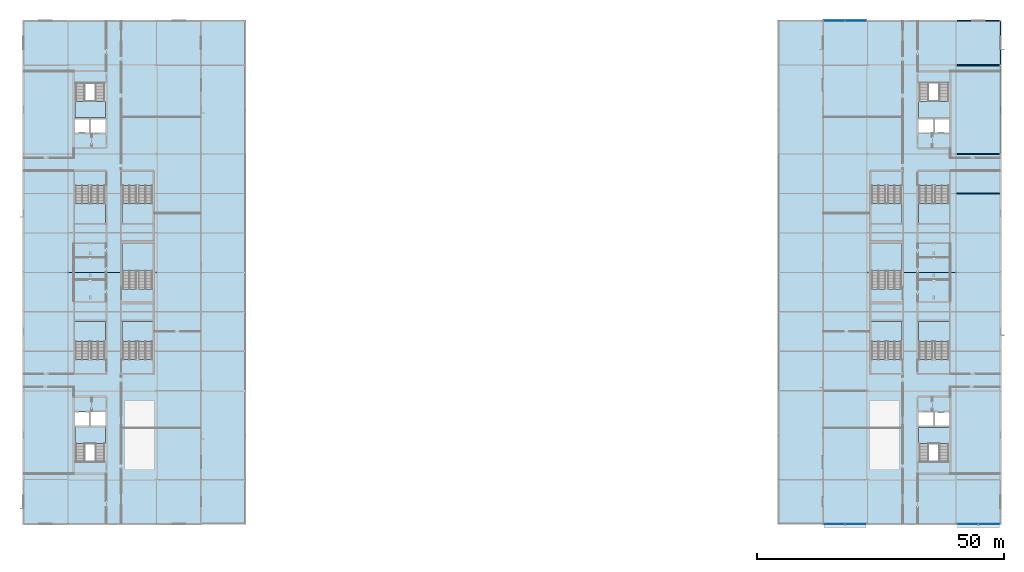
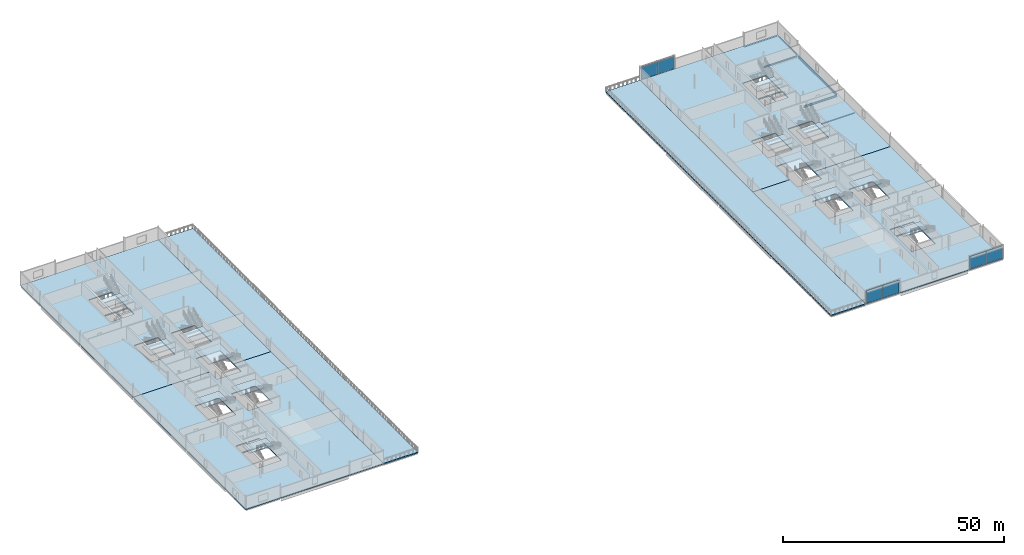
# One storey, part 26 of 55: 20 slabs, 6 beams, 6 plates, 17 elements without a shape of their own.
"""IFC4 building model written with IfcOpenShell, lengths in metres."""

from ifc_helpers import new_model, si_unit, direction, frame, origin, origin_2d, place, context, subcontext, project, spatial, polyline, rectangle, hollow_rectangle, i_section, outline, extrude, material, layer, layer_set, material_profile, profile_set, type_object, element, aggregate, save


model = new_model("IFC4")

# Units and contexts
model_context = context("Model", 3, precision=1e-05, world=origin(), true_north=direction((0.0, 1.0)))
body_context = subcontext(model_context, "Body", "Model", "MODEL_VIEW")
ifc_project = project(units=[si_unit("LENGTHUNIT", "METRE"), si_unit("AREAUNIT", "SQUARE_METRE"), si_unit("VOLUMEUNIT", "CUBIC_METRE"), si_unit("PLANEANGLEUNIT", "RADIAN"), si_unit("MASSUNIT", "GRAM", prefix="KILO")], contexts=[model_context])

# Site, building, storey
site_placement = place(None, origin())
site = spatial("IfcSite", under=ifc_project, at=site_placement, CompositionType="ELEMENT")
building_placement = place(site_placement, origin())
building = spatial("IfcBuilding", under=site, at=building_placement, Name="Kisiwana Market Hall", CompositionType="ELEMENT")
storey_placement = place(building_placement, frame((0.0, 0.0, 37.800048828125)))
storey = spatial("IfcBuildingStorey", under=building, at=storey_placement, Name="L08", CompositionType="ELEMENT", Elevation=37.800048828125)

# Beams
ifc_material_1 = material(Name="Steel S355", Category="steel")
ifc_material_profile_1 = material_profile(ifc_material_1, i_section(OverallWidth=0.18994140625, OverallDepth=0.449951171875, WebThickness=0.009521484375, FlangeThickness=0.0146484375, FilletRadius=0.02099609375, at=origin_2d()), Name="IPE 450")
ifc_profile_set_1 = profile_set([ifc_material_profile_1], Name="Steel S355")
beam_type_1 = type_object("IfcBeamType", Name="BM-GIRD-IPE450", PredefinedType="BEAM", material=ifc_profile_set_1)
beam_1_placement = place(storey_placement, frame((189.14599609375, 102.0, -0.469970703125), z_axis=(1.0, 0.0, 0.0), x_axis=(0.0, 1.0, 0.0)))
element("IfcBeam", 1, at=beam_1_placement, inside=storey, type_object=beam_type_1, Name="Floor beam B-2183", PredefinedType="BEAM", context=body_context, shape_type="SweptSolid", body=[
    extrude(i_section(OverallWidth=0.18994140625, OverallDepth=0.449951171875, WebThickness=0.009521484375, FlangeThickness=0.0146484375, FilletRadius=0.02099609375, at=origin_2d()), origin(), (0.0, 0.0, 1.0), 8.7080078125),
])
ifc_material_2 = material(Name="Steel S355", Category="steel")
ifc_material_profile_2 = material_profile(ifc_material_2, i_section(OverallWidth=0.2099609375, OverallDepth=0.550048828125, WebThickness=0.010986328125, FlangeThickness=0.01708984375, FilletRadius=0.02392578125, at=origin_2d()), Name="IPE 550")
ifc_profile_set_2 = profile_set([ifc_material_profile_2], Name="Steel S355")
beam_type_2 = type_object("IfcBeamType", Name="BM-GIRD-IPE550", PredefinedType="BEAM", material=ifc_profile_set_2)
beam_2_placement = place(storey_placement, frame((189.14599609375, 84.0, -0.52001953125), z_axis=(1.0, 0.0, 0.0), x_axis=(0.0, 1.0, 0.0)))
element("IfcBeam", 2, at=beam_2_placement, inside=storey, type_object=beam_type_2, Name="Floor beam B-2175", PredefinedType="BEAM", context=body_context, shape_type="SweptSolid", body=[
    extrude(i_section(OverallWidth=0.2099609375, OverallDepth=0.550048828125, WebThickness=0.010986328125, FlangeThickness=0.01708984375, FilletRadius=0.02392578125, at=origin_2d()), origin(), (0.0, 0.0, 1.0), 8.7080078125),
])
ifc_material_3 = material(Name="Steel S355", Category="steel")
ifc_material_profile_3 = material_profile(ifc_material_3, i_section(OverallWidth=0.22900390625, OverallDepth=0.6123046875, WebThickness=0.011962890625, FlangeThickness=0.01953125, at=origin_2d()), Name="UB 610x229x125")
ifc_profile_set_3 = profile_set([ifc_material_profile_3], Name="Steel S355")
beam_type_3 = type_object("IfcBeamType", Name="BM-GIRD-UB610H", PredefinedType="BEAM", material=ifc_profile_set_3)
beam_3_placement = place(storey_placement, frame((198.0, 84.196044921875, -0.55126953125), z_axis=(0.0, 1.0, 0.0), x_axis=(-1.0, 0.0, 0.0)))
element("IfcBeam", 3, at=beam_3_placement, inside=storey, type_object=beam_type_3, Name="Floor beam B-2222", PredefinedType="BEAM", context=body_context, shape_type="SweptSolid", body=[
    extrude(i_section(OverallWidth=0.22900390625, OverallDepth=0.6123046875, WebThickness=0.011962890625, FlangeThickness=0.01953125, at=origin_2d()), origin(), (0.0, 0.0, 1.0), 17.60791015625),
])
ifc_material_4 = material(Name="Steel S355", Category="steel")
ifc_material_profile_4 = material_profile(ifc_material_4, i_section(OverallWidth=0.165771484375, OverallDepth=0.306640625, WebThickness=0.006591796875, FlangeThickness=0.01171875, at=origin_2d()), Name="UB 305x165x46")
ifc_profile_set_4 = profile_set([ifc_material_profile_4], Name="Steel S355")
beam_type_4 = type_object("IfcBeamType", Name="BM-JOIST-UB305H", PredefinedType="JOIST", material=ifc_profile_set_4)
beam_4_placement = place(storey_placement, frame((189.113525390625, 76.0, -0.3984375), z_axis=(1.0, 0.0, 0.0), x_axis=(0.0, 1.0, 0.0)))
element("IfcBeam", 4, at=beam_4_placement, inside=storey, type_object=beam_type_4, Name="Secondary floor joist B-2141", PredefinedType="JOIST", context=body_context, shape_type="SweptSolid", body=[
    extrude(i_section(OverallWidth=0.165771484375, OverallDepth=0.306640625, WebThickness=0.006591796875, FlangeThickness=0.01171875, at=origin_2d()), origin(), (0.0, 0.0, 1.0), 8.77294921875),
])
ifc_material_5 = material(Name="Steel S355", Category="steel")
ifc_material_profile_5 = material_profile(ifc_material_5, hollow_rectangle(XDim=0.14990234375, YDim=0.25, WallThickness=0.010009765625, at=origin_2d()), Name="RHS 250x150x10.0")
ifc_profile_set_5 = profile_set([ifc_material_profile_5], Name="Steel S355")
beam_type_5 = type_object("IfcBeamType", Name="BM-SPAN-RHS250", PredefinedType="SPANDREL", material=ifc_profile_set_5)
beam_5_placement = place(storey_placement, frame((189.14599609375, 111.0, -0.3701171875), z_axis=(1.0, 0.0, 0.0), x_axis=(0.0, 1.0, 0.0)))
element("IfcBeam", 5, at=beam_5_placement, inside=storey, type_object=beam_type_5, Name="Floor beam B-2191", PredefinedType="SPANDREL", context=body_context, shape_type="SweptSolid", body=[
    extrude(hollow_rectangle(XDim=0.14990234375, YDim=0.25, WallThickness=0.010009765625, at=origin_2d()), origin(), (0.0, 0.0, 1.0), 8.7080078125),
])
beam_6_placement = place(storey_placement, frame((198.0, 102.196044921875, -0.3701171875), z_axis=(0.0, 1.0, 0.0), x_axis=(-1.0, 0.0, 0.0)))
element("IfcBeam", 6, at=beam_6_placement, inside=storey, type_object=beam_type_5, Name="Floor beam B-2223", PredefinedType="SPANDREL", context=body_context, shape_type="SweptSolid", body=[
    extrude(hollow_rectangle(XDim=0.14990234375, YDim=0.25, WallThickness=0.010009765625, at=origin_2d()), origin(), (0.0, 0.0, 1.0), 8.60791015625),
])

# Curtain wall, plates
ifc_material_6 = material(Name="Double-glazed solar-control low-E IGU", Category="glass")
ifc_layer_1 = layer(ifc_material_6, 0.159912109375)
ifc_layer_set_1 = layer_set([ifc_layer_1], Name="CW-ZNB-EW-8000")
curtain_wall_type = type_object("IfcCurtainWallType", Name="CW-ZNB-EW-8000", PredefinedType="USERDEFINED", material=ifc_layer_set_1)
curtain_wall_1_placement = place(storey_placement, origin())
curtain_wall_1 = element("IfcCurtainWall", 7, at=curtain_wall_1_placement, inside=storey, type_object=curtain_wall_type, Name="Unitised curtain wall CW-239 (L08)", ObjectType="UNITISED CURTAIN WALL", PredefinedType="USERDEFINED")
ifc_material_7 = material(Name="Double-glazed solar-control low-E IGU", Category="glass")
ifc_layer_2 = layer(ifc_material_7, 0.02392578125)
ifc_layer_set_2 = layer_set([ifc_layer_2], Name="PL-IGU-24")
plate_type_1 = type_object("IfcPlateType", Name="PL-IGU-24", PredefinedType="CURTAIN_PANEL", material=ifc_layer_set_2)
plate_1_placement = place(storey_placement, frame((191.3525390625, 9.0, 0.06005859375), z_axis=(0.0, 0.0, 1.0), x_axis=(1.0, 0.0, 0.0)))
plate_1 = element("IfcPlate", 8, at=plate_1_placement, type_object=plate_type_1, Name="CW-239 panel 1.1", PredefinedType="CURTAIN_PANEL", context=body_context, shape_type="SweptSolid", body=[
    extrude(rectangle(XDim=4.264892578125, YDim=0.02392578125, at=origin_2d()), origin(), (0.0, 0.0, 1.0), 3.445068359375),
])
plate_2_placement = place(storey_placement, frame((195.6875, 9.0, 0.06005859375), z_axis=(0.0, 0.0, 1.0), x_axis=(1.0, 0.0, 0.0)))
plate_2 = element("IfcPlate", 9, at=plate_2_placement, type_object=plate_type_1, Name="CW-239 panel 2.1", PredefinedType="CURTAIN_PANEL", context=body_context, shape_type="SweptSolid", body=[
    extrude(rectangle(XDim=4.264892578125, YDim=0.02392578125, at=origin_2d()), origin(), (0.0, 0.0, 1.0), 3.445068359375),
])
aggregate(curtain_wall_1, [plate_1, plate_2])

curtain_wall_2_placement = place(storey_placement, origin())
curtain_wall_2 = element("IfcCurtainWall", 10, at=curtain_wall_2_placement, inside=storey, type_object=curtain_wall_type, Name="Unitised curtain wall CW-238 (L08)", ObjectType="UNITISED CURTAIN WALL", PredefinedType="USERDEFINED")
ifc_material_8 = material(Name="Double-glazed acoustic laminated IGU", Category="glass")
ifc_layer_3 = layer(ifc_material_8, 0.028076171875)
ifc_layer_set_3 = layer_set([ifc_layer_3], Name="PL-IGU-28")
plate_type_2 = type_object("IfcPlateType", Name="PL-IGU-28", PredefinedType="CURTAIN_PANEL", material=ifc_layer_set_3)
plate_3_placement = place(storey_placement, frame((164.3125, 9.0, 0.06005859375), z_axis=(0.0, 0.0, 1.0), x_axis=(1.0, 0.0, 0.0)))
plate_3 = element("IfcPlate", 11, at=plate_3_placement, type_object=plate_type_2, Name="CW-238 panel 1.1", PredefinedType="CURTAIN_PANEL", context=body_context, shape_type="SweptSolid", body=[
    extrude(rectangle(XDim=4.264892578125, YDim=0.028076171875, at=origin_2d()), origin(), (0.0, 0.0, 1.0), 3.445068359375),
])
plate_4_placement = place(storey_placement, frame((168.6474609375, 9.0, 0.06005859375), z_axis=(0.0, 0.0, 1.0), x_axis=(1.0, 0.0, 0.0)))
plate_4 = element("IfcPlate", 12, at=plate_4_placement, type_object=plate_type_2, Name="CW-238 panel 2.1", PredefinedType="CURTAIN_PANEL", context=body_context, shape_type="SweptSolid", body=[
    extrude(rectangle(XDim=4.264892578125, YDim=0.028076171875, at=origin_2d()), origin(), (0.0, 0.0, 1.0), 3.445068359375),
])
aggregate(curtain_wall_2, [plate_3, plate_4])

curtain_wall_3_placement = place(storey_placement, origin())
curtain_wall_3 = element("IfcCurtainWall", 13, at=curtain_wall_3_placement, inside=storey, type_object=curtain_wall_type, Name="Unitised curtain wall CW-240 (L08)", ObjectType="UNITISED CURTAIN WALL", PredefinedType="USERDEFINED")
plate_5_placement = place(storey_placement, frame((164.3125, 111.0, 0.06005859375), z_axis=(0.0, 0.0, 1.0), x_axis=(1.0, 0.0, 0.0)))
plate_5 = element("IfcPlate", 14, at=plate_5_placement, type_object=plate_type_2, Name="CW-240 panel 1.1", PredefinedType="CURTAIN_PANEL", context=body_context, shape_type="SweptSolid", body=[
    extrude(rectangle(XDim=4.264892578125, YDim=0.028076171875, at=origin_2d()), origin(), (0.0, 0.0, 1.0), 3.445068359375),
])
plate_6_placement = place(storey_placement, frame((168.6474609375, 111.0, 0.06005859375), z_axis=(0.0, 0.0, 1.0), x_axis=(1.0, 0.0, 0.0)))
plate_6 = element("IfcPlate", 15, at=plate_6_placement, type_object=plate_type_2, Name="CW-240 panel 2.1", PredefinedType="CURTAIN_PANEL", context=body_context, shape_type="SweptSolid", body=[
    extrude(rectangle(XDim=4.264892578125, YDim=0.028076171875, at=origin_2d()), origin(), (0.0, 0.0, 1.0), 3.445068359375),
])
aggregate(curtain_wall_3, [plate_5, plate_6])

# Stair, slab
ifc_material_9 = material(Name="Concrete C32/40", Category="concrete")
stair_type_1 = type_object("IfcStairType", Name="ST-TWR-3900", PredefinedType="TWO_STRAIGHT_RUN_STAIR", material=ifc_material_9)
stair_1_placement = place(storey_placement, origin())
stair_1 = element("IfcStair", 16, at=stair_1_placement, inside=storey, type_object=stair_type_1, Name="Escape stair ST-W2-L08", PredefinedType="TWO_STRAIGHT_RUN_STAIR")
ifc_material_10 = material(Name="Concrete C32/40", Category="concrete")
ifc_layer_4 = layer(ifc_material_10, 0.239990234375)
ifc_layer_set_4 = layer_set([ifc_layer_4], Name="SL-LANDING-160")
slab_type_1 = type_object("IfcSlabType", Name="SL-LANDING-160", PredefinedType="LANDING", material=ifc_layer_set_4)
slab_1_placement = place(storey_placement, frame((0.0, 0.0, 1.7099609375)))
slab_1 = element("IfcSlab", 17, at=slab_1_placement, type_object=slab_type_1, Name="ST-W2-L08 landing 1 S-336", PredefinedType="LANDING", context=body_context, shape_type="SweptSolid", body=[
    extrude(outline(polyline([(10.405029296875, 25.333984375), (16.594970703125, 25.333984375), (16.594970703125, 28.64501953125), (10.405029296875, 28.64501953125), (10.405029296875, 25.333984375)])), origin(), (0.0, 0.0, 1.0), 0.239990234375),
])
aggregate(stair_1, [slab_1])

stair_2_placement = place(storey_placement, origin())
stair_2 = element("IfcStair", 18, at=stair_2_placement, inside=storey, type_object=stair_type_1, Name="Escape stair ST-W1-L08", PredefinedType="TWO_STRAIGHT_RUN_STAIR")
slab_2_placement = place(storey_placement, frame((0.0, 0.0, 1.7099609375)))
slab_2 = element("IfcSlab", 19, at=slab_2_placement, type_object=slab_type_1, Name="ST-W1-L08 landing 1 S-335", PredefinedType="LANDING", context=body_context, shape_type="SweptSolid", body=[
    extrude(outline(polyline([(10.405029296875, 91.35498046875), (16.594970703125, 91.35498046875), (16.594970703125, 94.666015625), (10.405029296875, 94.666015625), (10.405029296875, 91.35498046875)])), origin(), (0.0, 0.0, 1.0), 0.239990234375),
])
aggregate(stair_2, [slab_2])

stair_3_placement = place(storey_placement, origin())
stair_3 = element("IfcStair", 20, at=stair_3_placement, inside=storey, type_object=stair_type_1, Name="Escape stair ST-E2-L08", PredefinedType="TWO_STRAIGHT_RUN_STAIR")
slab_3_placement = place(storey_placement, frame((0.0, 0.0, 1.7099609375)))
slab_3 = element("IfcSlab", 21, at=slab_3_placement, type_object=slab_type_1, Name="ST-E2-L08 landing 1 S-329", PredefinedType="LANDING", context=body_context, shape_type="SweptSolid", body=[
    extrude(outline(polyline([(181.3798828125, 25.30908203125), (187.6201171875, 25.30908203125), (187.6201171875, 28.6201171875), (181.3798828125, 28.6201171875), (181.3798828125, 25.30908203125)])), origin(), (0.0, 0.0, 1.0), 0.239990234375),
])
aggregate(stair_3, [slab_3])

stair_4_placement = place(storey_placement, origin())
stair_4 = element("IfcStair", 22, at=stair_4_placement, inside=storey, type_object=stair_type_1, Name="Escape stair ST-E1-L08", PredefinedType="TWO_STRAIGHT_RUN_STAIR")
slab_4_placement = place(storey_placement, frame((0.0, 0.0, 1.7099609375)))
slab_4 = element("IfcSlab", 23, at=slab_4_placement, type_object=slab_type_1, Name="ST-E1-L08 landing 1 S-328", PredefinedType="LANDING", context=body_context, shape_type="SweptSolid", body=[
    extrude(outline(polyline([(181.3798828125, 91.3798828125), (187.6201171875, 91.3798828125), (187.6201171875, 94.69091796875), (181.3798828125, 94.69091796875), (181.3798828125, 91.3798828125)])), origin(), (0.0, 0.0, 1.0), 0.239990234375),
])
aggregate(stair_4, [slab_4])

ifc_material_11 = material(Name="Concrete C32/40", Category="concrete")
stair_type_2 = type_object("IfcStairType", Name="ST-ESC-3900", PredefinedType="TWO_STRAIGHT_RUN_STAIR", material=ifc_material_11)
stair_5_placement = place(storey_placement, origin())
stair_5 = element("IfcStair", 24, at=stair_5_placement, inside=storey, type_object=stair_type_2, Name="Escape stair ST-W3-L08", PredefinedType="TWO_STRAIGHT_RUN_STAIR")
slab_5_placement = place(storey_placement, frame((0.0, 0.0, 1.7099609375)))
slab_5 = element("IfcSlab", 25, at=slab_5_placement, type_object=slab_type_1, Name="ST-W3-L08 landing 1 S-337", PredefinedType="LANDING", context=body_context, shape_type="SweptSolid", body=[
    extrude(outline(polyline([(10.340087890625, 46.01953125), (16.659912109375, 46.01953125), (16.659912109375, 50.06005859375), (10.340087890625, 50.06005859375), (10.340087890625, 46.01953125)])), origin(), (0.0, 0.0, 1.0), 0.239990234375),
])
aggregate(stair_5, [slab_5])

stair_6_placement = place(storey_placement, origin())
stair_6 = element("IfcStair", 26, at=stair_6_placement, inside=storey, type_object=stair_type_2, Name="Escape stair ST-W4-L08", PredefinedType="TWO_STRAIGHT_RUN_STAIR")
slab_6_placement = place(storey_placement, frame((0.0, 0.0, 1.7099609375)))
slab_6 = element("IfcSlab", 27, at=slab_6_placement, type_object=slab_type_1, Name="ST-W4-L08 landing 1 S-338", PredefinedType="LANDING", context=body_context, shape_type="SweptSolid", body=[
    extrude(outline(polyline([(10.340087890625, 69.93994140625), (16.659912109375, 69.93994140625), (16.659912109375, 73.98046875), (10.340087890625, 73.98046875), (10.340087890625, 69.93994140625)])), origin(), (0.0, 0.0, 1.0), 0.239990234375),
])
aggregate(stair_6, [slab_6])

stair_7_placement = place(storey_placement, origin())
stair_7 = element("IfcStair", 28, at=stair_7_placement, inside=storey, type_object=stair_type_2, Name="Escape stair ST-E3-L08", PredefinedType="TWO_STRAIGHT_RUN_STAIR")
slab_7_placement = place(storey_placement, frame((0.0, 0.0, 1.7099609375)))
slab_7 = element("IfcSlab", 29, at=slab_7_placement, type_object=slab_type_1, Name="ST-E3-L08 landing 1 S-330", PredefinedType="LANDING", context=body_context, shape_type="SweptSolid", body=[
    extrude(outline(polyline([(181.340087890625, 46.01953125), (187.659912109375, 46.01953125), (187.659912109375, 50.06005859375), (181.340087890625, 50.06005859375), (181.340087890625, 46.01953125)])), origin(), (0.0, 0.0, 1.0), 0.239990234375),
])
aggregate(stair_7, [slab_7])

stair_8_placement = place(storey_placement, origin())
stair_8 = element("IfcStair", 30, at=stair_8_placement, inside=storey, type_object=stair_type_2, Name="Escape stair ST-E4-L08", PredefinedType="TWO_STRAIGHT_RUN_STAIR")
slab_8_placement = place(storey_placement, frame((0.0, 0.0, 1.7099609375)))
slab_8 = element("IfcSlab", 31, at=slab_8_placement, type_object=slab_type_1, Name="ST-E4-L08 landing 1 S-331", PredefinedType="LANDING", context=body_context, shape_type="SweptSolid", body=[
    extrude(outline(polyline([(181.340087890625, 69.93994140625), (187.659912109375, 69.93994140625), (187.659912109375, 73.98046875), (181.340087890625, 73.98046875), (181.340087890625, 69.93994140625)])), origin(), (0.0, 0.0, 1.0), 0.239990234375),
])
aggregate(stair_8, [slab_8])

stair_9_placement = place(storey_placement, origin())
stair_9 = element("IfcStair", 32, at=stair_9_placement, inside=storey, type_object=stair_type_2, Name="Escape stair ST-W7-L08", PredefinedType="TWO_STRAIGHT_RUN_STAIR")
slab_9_placement = place(storey_placement, frame((0.0, 0.0, 1.7099609375)))
slab_9 = element("IfcSlab", 33, at=slab_9_placement, type_object=slab_type_1, Name="ST-W7-L08 landing 1 S-340", PredefinedType="LANDING", context=body_context, shape_type="SweptSolid", body=[
    extrude(outline(polyline([(19.93994140625, 46.01953125), (26.260009765625, 46.01953125), (26.260009765625, 50.06005859375), (19.93994140625, 50.06005859375), (19.93994140625, 46.01953125)])), origin(), (0.0, 0.0, 1.0), 0.239990234375),
])
aggregate(stair_9, [slab_9])

stair_10_placement = place(storey_placement, origin())
stair_10 = element("IfcStair", 34, at=stair_10_placement, inside=storey, type_object=stair_type_2, Name="Escape stair ST-E7-L08", PredefinedType="TWO_STRAIGHT_RUN_STAIR")
slab_10_placement = place(storey_placement, frame((0.0, 0.0, 1.7099609375)))
slab_10 = element("IfcSlab", 35, at=slab_10_placement, type_object=slab_type_1, Name="ST-E7-L08 landing 1 S-333", PredefinedType="LANDING", context=body_context, shape_type="SweptSolid", body=[
    extrude(outline(polyline([(171.739990234375, 46.01953125), (178.06005859375, 46.01953125), (178.06005859375, 50.06005859375), (171.739990234375, 50.06005859375), (171.739990234375, 46.01953125)])), origin(), (0.0, 0.0, 1.0), 0.239990234375),
])
aggregate(stair_10, [slab_10])

stair_11_placement = place(storey_placement, origin())
stair_11 = element("IfcStair", 36, at=stair_11_placement, inside=storey, type_object=stair_type_2, Name="Escape stair ST-W8-L08", PredefinedType="TWO_STRAIGHT_RUN_STAIR")
slab_11_placement = place(storey_placement, frame((0.0, 0.0, 1.7099609375)))
slab_11 = element("IfcSlab", 37, at=slab_11_placement, type_object=slab_type_1, Name="ST-W8-L08 landing 1 S-341", PredefinedType="LANDING", context=body_context, shape_type="SweptSolid", body=[
    extrude(outline(polyline([(19.93994140625, 69.93994140625), (26.260009765625, 69.93994140625), (26.260009765625, 73.98046875), (19.93994140625, 73.98046875), (19.93994140625, 69.93994140625)])), origin(), (0.0, 0.0, 1.0), 0.239990234375),
])
aggregate(stair_11, [slab_11])

stair_12_placement = place(storey_placement, origin())
stair_12 = element("IfcStair", 38, at=stair_12_placement, inside=storey, type_object=stair_type_2, Name="Escape stair ST-E8-L08", PredefinedType="TWO_STRAIGHT_RUN_STAIR")
slab_12_placement = place(storey_placement, frame((0.0, 0.0, 1.7099609375)))
slab_12 = element("IfcSlab", 39, at=slab_12_placement, type_object=slab_type_1, Name="ST-E8-L08 landing 1 S-334", PredefinedType="LANDING", context=body_context, shape_type="SweptSolid", body=[
    extrude(outline(polyline([(171.739990234375, 69.93994140625), (178.06005859375, 69.93994140625), (178.06005859375, 73.98046875), (171.739990234375, 73.98046875), (171.739990234375, 69.93994140625)])), origin(), (0.0, 0.0, 1.0), 0.239990234375),
])
aggregate(stair_12, [slab_12])

stair_13_placement = place(storey_placement, origin())
stair_13 = element("IfcStair", 40, at=stair_13_placement, inside=storey, type_object=stair_type_2, Name="Escape stair ST-W5-L08", PredefinedType="TWO_STRAIGHT_RUN_STAIR")
slab_13_placement = place(storey_placement, frame((0.0, 0.0, 1.7099609375)))
slab_13 = element("IfcSlab", 41, at=slab_13_placement, type_object=slab_type_1, Name="ST-W5-L08 landing 1 S-339", PredefinedType="LANDING", context=body_context, shape_type="SweptSolid", body=[
    extrude(outline(polyline([(19.93994140625, 60.299560546875), (26.260009765625, 60.299560546875), (26.260009765625, 66.179931640625), (19.93994140625, 66.179931640625), (19.93994140625, 60.299560546875)])), origin(), (0.0, 0.0, 1.0), 0.239990234375),
])
aggregate(stair_13, [slab_13])

stair_14_placement = place(storey_placement, origin())
stair_14 = element("IfcStair", 42, at=stair_14_placement, inside=storey, type_object=stair_type_2, Name="Escape stair ST-E5-L08", PredefinedType="TWO_STRAIGHT_RUN_STAIR")
slab_14_placement = place(storey_placement, frame((0.0, 0.0, 1.7099609375)))
slab_14 = element("IfcSlab", 43, at=slab_14_placement, type_object=slab_type_1, Name="ST-E5-L08 landing 1 S-332", PredefinedType="LANDING", context=body_context, shape_type="SweptSolid", body=[
    extrude(outline(polyline([(171.739990234375, 60.299560546875), (178.06005859375, 60.299560546875), (178.06005859375, 66.179931640625), (171.739990234375, 66.179931640625), (171.739990234375, 60.299560546875)])), origin(), (0.0, 0.0, 1.0), 0.239990234375),
])
aggregate(stair_14, [slab_14])

# Slabs
ifc_material_12 = material(Name="Concrete C32/40", Category="concrete")
ifc_layer_5 = layer(ifc_material_12, 0.2451171875)
ifc_layer_set_5 = layer_set([ifc_layer_5], Name="SL-OFF-175")
slab_type_2 = type_object("IfcSlabType", Name="SL-OFF-175", PredefinedType="FLOOR", material=ifc_layer_set_5)
slab_15_placement = place(storey_placement, frame((0.0, 0.0, -0.2451171875)))
element("IfcSlab", 44, at=slab_15_placement, inside=storey, type_object=slab_type_2, Name="Structural slab S-324", PredefinedType="FLOOR", context=body_context, shape_type="SweptSolid", body=[
    extrude(outline(polyline([(0.0, 9.0), (36.0, 9.0), (36.0, 60.0), (26.239990234375, 60.0), (26.239990234375, 56.659912109375), (19.9599609375, 56.659912109375), (19.9599609375, 60.0), (0.0, 60.0), (0.0, 9.0)]), holes=[polyline([(10.425048828125, 21.675048828125), (16.574951171875, 21.675048828125), (16.574951171875, 28.625), (10.425048828125, 28.625), (10.425048828125, 21.675048828125)]), polyline([(10.425048828125, 28.945068359375), (13.340087890625, 28.945068359375), (13.340087890625, 31.675048828125), (10.425048828125, 31.675048828125), (10.425048828125, 28.945068359375)]), polyline([(13.659912109375, 28.945068359375), (16.574951171875, 28.945068359375), (16.574951171875, 31.675048828125), (13.659912109375, 31.675048828125), (13.659912109375, 28.945068359375)]), polyline([(10.360107421875, 42.3798828125), (16.639892578125, 42.3798828125), (16.639892578125, 50.0400390625), (10.360107421875, 50.0400390625), (10.360107421875, 42.3798828125)]), polyline([(19.9599609375, 42.3798828125), (26.239990234375, 42.3798828125), (26.239990234375, 50.0400390625), (19.9599609375, 50.0400390625), (19.9599609375, 42.3798828125)])]), origin(), (0.0, 0.0, 1.0), 0.2451171875),
])
slab_16_placement = place(storey_placement, frame((0.0, 0.0, -0.2451171875)))
element("IfcSlab", 45, at=slab_16_placement, inside=storey, type_object=slab_type_2, Name="Structural slab S-325", PredefinedType="FLOOR", context=body_context, shape_type="SweptSolid", body=[
    extrude(outline(polyline([(0.0, 60.0), (19.9599609375, 60.0), (19.9599609375, 66.159912109375), (26.239990234375, 66.159912109375), (26.239990234375, 60.0), (36.0, 60.0), (36.0, 111.0), (0.0, 111.0), (0.0, 60.0)]), holes=[polyline([(10.425048828125, 91.375), (16.574951171875, 91.375), (16.574951171875, 98.324951171875), (10.425048828125, 98.324951171875), (10.425048828125, 91.375)]), polyline([(10.425048828125, 88.324951171875), (13.340087890625, 88.324951171875), (13.340087890625, 91.054931640625), (10.425048828125, 91.054931640625), (10.425048828125, 88.324951171875)]), polyline([(13.659912109375, 88.324951171875), (16.574951171875, 88.324951171875), (16.574951171875, 91.054931640625), (13.659912109375, 91.054931640625), (13.659912109375, 88.324951171875)]), polyline([(10.360107421875, 69.9599609375), (16.639892578125, 69.9599609375), (16.639892578125, 77.6201171875), (10.360107421875, 77.6201171875), (10.360107421875, 69.9599609375)]), polyline([(19.9599609375, 69.9599609375), (26.239990234375, 69.9599609375), (26.239990234375, 77.6201171875), (19.9599609375, 77.6201171875), (19.9599609375, 69.9599609375)])]), origin(), (0.0, 0.0, 1.0), 0.2451171875),
])
slab_17_placement = place(storey_placement, frame((0.0, 0.0, -0.2451171875)))
element("IfcSlab", 46, at=slab_17_placement, inside=storey, type_object=slab_type_2, Name="Structural slab S-326", PredefinedType="FLOOR", context=body_context, shape_type="SweptSolid", body=[
    extrude(outline(polyline([(162.0, 9.0), (198.0, 9.0), (198.0, 60.0), (178.0400390625, 60.0), (178.0400390625, 56.659912109375), (171.760009765625, 56.659912109375), (171.760009765625, 60.0), (162.0, 60.0), (162.0, 9.0)]), holes=[polyline([(181.39990234375, 21.64990234375), (187.60009765625, 21.64990234375), (187.60009765625, 28.60009765625), (181.39990234375, 28.60009765625), (181.39990234375, 21.64990234375)]), polyline([(181.39990234375, 28.919921875), (184.340087890625, 28.919921875), (184.340087890625, 31.64990234375), (181.39990234375, 31.64990234375), (181.39990234375, 28.919921875)]), polyline([(184.659912109375, 28.919921875), (187.60009765625, 28.919921875), (187.60009765625, 31.64990234375), (184.659912109375, 31.64990234375), (184.659912109375, 28.919921875)]), polyline([(181.360107421875, 42.3798828125), (187.639892578125, 42.3798828125), (187.639892578125, 50.0400390625), (181.360107421875, 50.0400390625), (181.360107421875, 42.3798828125)]), polyline([(171.760009765625, 42.3798828125), (178.0400390625, 42.3798828125), (178.0400390625, 50.0400390625), (171.760009765625, 50.0400390625), (171.760009765625, 42.3798828125)])]), origin(), (0.0, 0.0, 1.0), 0.2451171875),
])
slab_18_placement = place(storey_placement, frame((0.0, 0.0, -0.2451171875)))
element("IfcSlab", 47, at=slab_18_placement, inside=storey, type_object=slab_type_2, Name="Structural slab S-327", PredefinedType="FLOOR", context=body_context, shape_type="SweptSolid", body=[
    extrude(outline(polyline([(162.0, 60.0), (171.760009765625, 60.0), (171.760009765625, 66.159912109375), (178.0400390625, 66.159912109375), (178.0400390625, 60.0), (198.0, 60.0), (198.0, 111.0), (162.0, 111.0), (162.0, 60.0)]), holes=[polyline([(181.39990234375, 91.39990234375), (187.60009765625, 91.39990234375), (187.60009765625, 98.35009765625), (181.39990234375, 98.35009765625), (181.39990234375, 91.39990234375)]), polyline([(181.39990234375, 88.35009765625), (184.340087890625, 88.35009765625), (184.340087890625, 91.080078125), (181.39990234375, 91.080078125), (181.39990234375, 88.35009765625)]), polyline([(184.659912109375, 88.35009765625), (187.60009765625, 88.35009765625), (187.60009765625, 91.080078125), (184.659912109375, 91.080078125), (184.659912109375, 88.35009765625)]), polyline([(181.360107421875, 69.9599609375), (187.639892578125, 69.9599609375), (187.639892578125, 77.6201171875), (181.360107421875, 77.6201171875), (181.360107421875, 69.9599609375)]), polyline([(171.760009765625, 69.9599609375), (178.0400390625, 69.9599609375), (178.0400390625, 77.6201171875), (171.760009765625, 77.6201171875), (171.760009765625, 69.9599609375)])]), origin(), (0.0, 0.0, 1.0), 0.2451171875),
])
ifc_material_13 = material(Name="Concrete C32/40", Category="concrete")
ifc_layer_6 = layer(ifc_material_13, 0.324951171875)
ifc_layer_set_6 = layer_set([ifc_layer_6], Name="SL-TERR-265")
slab_type_3 = type_object("IfcSlabType", Name="SL-TERR-265", PredefinedType="FLOOR", material=ifc_layer_set_6)
slab_19_placement = place(storey_placement, frame((0.0, 0.0, -0.324951171875)))
element("IfcSlab", 48, at=slab_19_placement, inside=storey, type_object=slab_type_3, Name="Exterior terrace slab S-343", PredefinedType="FLOOR", context=body_context, shape_type="SweptSolid", body=[
    extrude(outline(polyline([(36.0, 9.0), (45.0, 9.0), (45.0, 111.0), (36.0, 111.0), (36.0, 9.0)])), origin(), (0.0, 0.0, 1.0), 0.324951171875),
])
slab_20_placement = place(storey_placement, frame((0.0, 0.0, -0.324951171875)))
element("IfcSlab", 49, at=slab_20_placement, inside=storey, type_object=slab_type_3, Name="Exterior terrace slab S-342", PredefinedType="FLOOR", context=body_context, shape_type="SweptSolid", body=[
    extrude(outline(polyline([(153.0, 9.0), (162.0, 9.0), (162.0, 111.0), (153.0, 111.0), (153.0, 9.0)])), origin(), (0.0, 0.0, 1.0), 0.324951171875),
])

save(model, "model.ifc")
